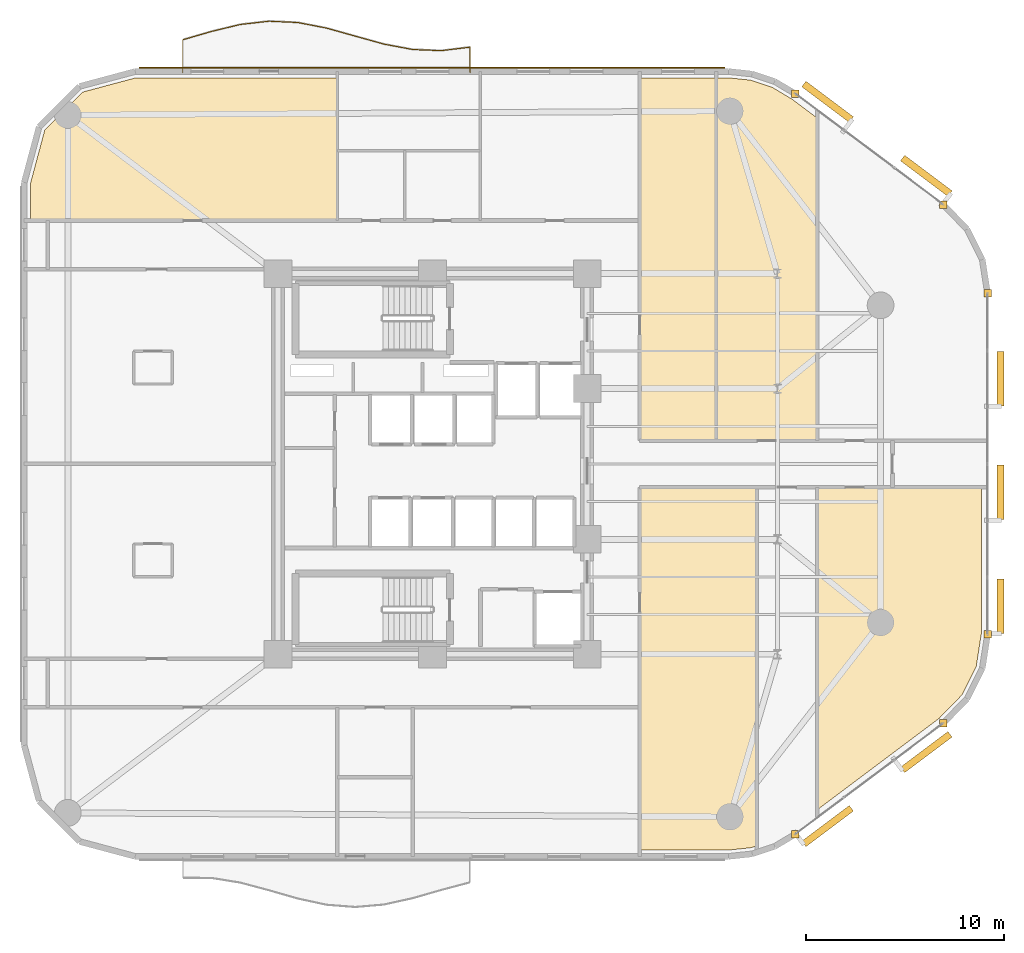
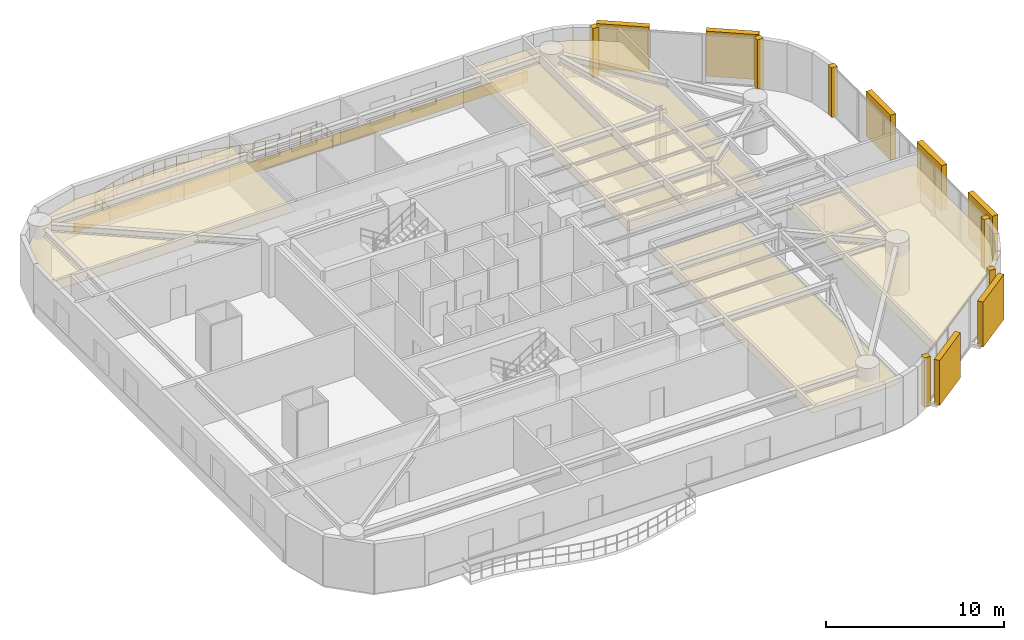
# One storey, part 16 of 16: 12 coverings, 7 shading devices, 1 railing.
"""IFC4 building model written with IfcOpenShell, lengths in metres."""

import ifcopenshell
import ifcopenshell.guid

model = None  # the IFC model being written
_history = None  # IfcOwnerHistory: only IFC2X3 demands one
_inside = {}  # id of a spatial element -> (the spatial element, [elements in it])
_under = {}  # id of a project, library or spatial element -> (it, [spatial elements below it])
_declared = {}  # id of a project -> (the project, [libraries it declares])
_typed = {}  # id of a type object -> (the type object, [elements of that type])
_made_of = {}  # id of a material, layer set ... -> (it, [elements and type objects made of it])


def new_model(schema):
    """Start an empty IFC model of exactly this schema.

    Asked for "IFC4X3", IfcOpenShell would pick the latest addendum, in which some entities
    have other attributes; the version numbers below select the first issue.
    IFC2X3 requires an IfcOwnerHistory on every rooted entity: one is made here for all.
    """
    global model, _history
    if schema == "IFC4X3":
        model = ifcopenshell.file(schema_version=(4, 3, 0, 0))
    else:
        model = ifcopenshell.file(schema=schema)
    _inside.clear()
    _under.clear()
    _declared.clear()
    _typed.clear()
    _made_of.clear()
    _history = None
    if model.schema == "IFC2X3":
        org = make("IfcOrganization", Name="unknown")
        user = make(
            "IfcPersonAndOrganization",
            ThePerson=make("IfcPerson", FamilyName="unknown"),
            TheOrganization=org,
        )
        app = make(
            "IfcApplication",
            ApplicationDeveloper=org,
            Version="unknown",
            ApplicationFullName="unknown",
            ApplicationIdentifier="unknown",
        )
        _history = make(
            "IfcOwnerHistory",
            OwningUser=user,
            OwningApplication=app,
            ChangeAction="ADDED",
            CreationDate=0,
        )
    return model


def make(cls, **values):
    """One entity of the class cls with the attributes given. An attribute that is None is left unset."""
    return model.create_entity(
        cls, **{name: value for name, value in values.items() if value is not None}
    )


def rooted(cls, **values):
    """An entity with a GlobalId (a new one), such as an element, a storey or a relation."""
    return make(cls, GlobalId=ifcopenshell.guid.new(), OwnerHistory=_history, **values)


def si_unit(unit_type, name, prefix=None):
    """IfcSIUnit, for example si_unit("LENGTHUNIT", "METRE", prefix="MILLI")."""
    return make("IfcSIUnit", UnitType=unit_type, Prefix=prefix, Name=name)


def assignment(units):
    """IfcUnitAssignment: the units of a project."""
    return None if units is None else make("IfcUnitAssignment", Units=units)


def point(xyz):
    """IfcCartesianPoint."""
    return None if xyz is None else make("IfcCartesianPoint", Coordinates=xyz)


def direction(xyz):
    """IfcDirection."""
    return None if xyz is None else make("IfcDirection", DirectionRatios=xyz)


def frame(location, z_axis=None, x_axis=None):
    """IfcAxis2Placement3D, a coordinate frame: its origin and axes. An axis left out is left unset."""
    return make(
        "IfcAxis2Placement3D",
        Location=point(location),
        Axis=direction(z_axis),
        RefDirection=direction(x_axis),
    )


def frame_2d(location, x_axis=None):
    """IfcAxis2Placement2D, a coordinate frame in the plane: its origin and x axis."""
    return make(
        "IfcAxis2Placement2D", Location=point(location), RefDirection=direction(x_axis)
    )


def origin():
    """The frame at (0, 0, 0) with its axes left unset."""
    return frame((0.0, 0.0, 0.0))


def origin_2d():
    """The frame at (0, 0) in the plane with its x axis left unset."""
    return frame_2d((0.0, 0.0))


def place(relative_to, where):
    """IfcLocalPlacement: puts the frame where relative to a parent placement (None: the world)."""
    return make(
        "IfcLocalPlacement", PlacementRelTo=relative_to, RelativePlacement=where
    )


def context(
    kind, dimensions, precision=None, world=None, true_north=None, identifier=None
):
    """IfcGeometricRepresentationContext, for example the 3D "Model" context."""
    return make(
        "IfcGeometricRepresentationContext",
        ContextIdentifier=identifier,
        ContextType=kind,
        CoordinateSpaceDimension=dimensions,
        Precision=precision,
        WorldCoordinateSystem=world,
        TrueNorth=true_north,
    )


def subcontext(parent, identifier, kind, view, scale=None):
    """IfcGeometricRepresentationSubContext, for example "Body" below "Model"."""
    return make(
        "IfcGeometricRepresentationSubContext",
        ContextIdentifier=identifier,
        ContextType=kind,
        ParentContext=parent,
        TargetScale=scale,
        TargetView=view,
    )


def project(units=None, contexts=None):
    """IfcProject with its units and contexts."""
    return rooted(
        "IfcProject",
        Name="project",
        RepresentationContexts=contexts,
        UnitsInContext=assignment(units),
    )


def spatial(cls, under=None, at=None, **own):
    """A site, building, storey or space (cls), placed at a placement, below another one or the project."""
    s = rooted(cls, ObjectPlacement=at, **own)
    if under is not None:
        _under.setdefault(under.id(), (under, []))[1].append(s)
    return s


def polyline(points):
    """IfcPolyline through the points."""
    return make("IfcPolyline", Points=[point(p) for p in points])


def profile(cls, at=None, kind="AREA", **sizes):
    """A parametric profile (cls). Its sizes go by their IFC names, for example OverallWidth=200.0."""
    return make(cls, ProfileType=kind, Position=at, **sizes)


def rectangle(**sizes):
    """IfcRectangleProfileDef."""
    return profile("IfcRectangleProfileDef", **sizes)


def circle(**sizes):
    """IfcCircleProfileDef."""
    return profile("IfcCircleProfileDef", **sizes)


def outline(outer, holes=None, kind="AREA"):
    """IfcArbitraryClosedProfileDef: a profile drawn as a closed curve; with holes, ...WithVoids."""
    if holes is None:
        return make("IfcArbitraryClosedProfileDef", ProfileType=kind, OuterCurve=outer)
    return make(
        "IfcArbitraryProfileDefWithVoids",
        ProfileType=kind,
        OuterCurve=outer,
        InnerCurves=holes,
    )


def extrude(swept, where, along, depth):
    """IfcExtrudedAreaSolid: the profile swept, set in the frame where, extruded along a direction by depth."""
    return make(
        "IfcExtrudedAreaSolid",
        SweptArea=swept,
        Position=where,
        ExtrudedDirection=direction(along),
        Depth=depth,
    )


def shape(context_of_items, identifier, shape_type, items):
    """IfcShapeRepresentation: the items that make up one representation, for example the "Body"."""
    return make(
        "IfcShapeRepresentation",
        ContextOfItems=context_of_items,
        RepresentationIdentifier=identifier,
        RepresentationType=shape_type,
        Items=items,
    )


def material(Name=None, Category=None):
    """IfcMaterial."""
    return make("IfcMaterial", Name=Name, Category=Category)


def layer(
    of_material, thickness, ventilated=None, Name=None, Category=None, Priority=None
):
    """IfcMaterialLayer: one layer of a wall or slab, of a material (None: an air gap)."""
    return make(
        "IfcMaterialLayer",
        Material=of_material,
        LayerThickness=thickness,
        IsVentilated=ventilated,
        Name=Name,
        Category=Category,
        Priority=Priority,
    )


def layer_set(layers, Name=None):
    """IfcMaterialLayerSet."""
    return make("IfcMaterialLayerSet", MaterialLayers=layers, LayerSetName=Name)


def made_of(thing, what):
    """Note that an element or type object is made of a material, layer set ...; save() writes the relation."""
    if what is not None:
        _made_of.setdefault(what.id(), (what, []))[1].append(thing)
    return thing


def type_object(cls, material=None, **own):
    """A type object (cls), such as IfcWallType, which elements share."""
    return made_of(rooted(cls, **own), material)


def element(
    cls,
    number,
    at=None,
    inside=None,
    cuts=None,
    type_object=None,
    material=None,
    context=None,
    identifier="Body",
    shape_type=None,
    held_by="IfcProductDefinitionShape",
    body=None,
    shapes=None,
    **own,
):
    """One element of the class cls, such as IfcWall. Its Tag is "e" and its number.

    at: its placement. inside: the storey or other place that contains it. cuts: it is an
    opening in that element (IfcRelVoidsElement). A single representation is given by context,
    identifier, shape_type and body (its items); several are given by shapes. held_by: the class
    of the entity that holds the representations. save() writes the other relations.
    """
    e = rooted(cls, Tag="e%d" % number, ObjectPlacement=at, **own)
    if body is not None:
        shapes = [shape(context, identifier, shape_type, body)]
    if shapes is not None:
        e.Representation = make(held_by, Representations=shapes)
    if inside is not None:
        _inside.setdefault(inside.id(), (inside, []))[1].append(e)
    if cuts is not None:
        rooted(
            "IfcRelVoidsElement", RelatingBuildingElement=cuts, RelatedOpeningElement=e
        )
    if type_object is not None:
        _typed.setdefault(type_object.id(), (type_object, []))[1].append(e)
    return made_of(e, material)


def aggregate(whole, parts):
    """IfcRelAggregates: a whole, such as a stair, and the parts it consists of."""
    return rooted("IfcRelAggregates", RelatingObject=whole, RelatedObjects=parts)


def save(model, path):
    """Write the relations noted so far, then the file.

    IfcRelAggregates (storeys below a building ...), IfcRelContainedInSpatialStructure (elements
    in a storey), IfcRelDefinesByType, IfcRelAssociatesMaterial and IfcRelDeclares: one each for
    every whole, place, type object, material and project.
    """
    for whole, parts in _under.values():
        aggregate(whole, parts)
    for where, things in _inside.values():
        rooted(
            "IfcRelContainedInSpatialStructure",
            RelatedElements=things,
            RelatingStructure=where,
        )
    for kind, things in _typed.values():
        rooted("IfcRelDefinesByType", RelatedObjects=things, RelatingType=kind)
    for what, things in _made_of.values():
        rooted("IfcRelAssociatesMaterial", RelatedObjects=things, RelatingMaterial=what)
    for by, libraries in _declared.values():
        rooted("IfcRelDeclares", RelatingContext=by, RelatedDefinitions=libraries)
    model.write(path)


model = new_model("IFC4")

# Units and contexts
model_context = context("Model", 3, precision=1e-05, world=origin(), true_north=direction((0.0, 1.0)))
body_context = subcontext(model_context, "Body", "Model", "MODEL_VIEW")
ifc_project = project(units=[si_unit("LENGTHUNIT", "METRE"), si_unit("AREAUNIT", "SQUARE_METRE"), si_unit("VOLUMEUNIT", "CUBIC_METRE"), si_unit("PLANEANGLEUNIT", "RADIAN"), si_unit("MASSUNIT", "GRAM", prefix="KILO")], contexts=[model_context])

# Site, building, storey
site_placement = place(None, origin())
site = spatial("IfcSite", under=ifc_project, at=site_placement, CompositionType="ELEMENT")
building_placement = place(site_placement, origin())
building = spatial("IfcBuilding", under=site, at=building_placement, Name="An Khanh Terracotta Commons", CompositionType="ELEMENT")
storey_placement = place(building_placement, frame((0.0, 0.0, 111.5)))
storey = spatial("IfcBuildingStorey", under=building, at=storey_placement, Name="L29", CompositionType="ELEMENT", Elevation=111.5)

# Coverings
ifc_material_1 = material(Name="Perforated Mineral-Fibre Acoustic Tile")
ifc_layer_1 = layer(ifc_material_1, 0.02001953125, Name="Perforated Mineral-Fibre Acoustic Tile")
ifc_layer_set_1 = layer_set([ifc_layer_1], Name="Perforated Mineral-Fibre Acoustic Tile")
covering_type_1 = type_object("IfcCoveringType", Name="CEIL-ACOUSTIC-18", PredefinedType="CEILING", material=ifc_layer_set_1)
covering_1_placement = place(storey_placement, frame((0.0, 0.0, 2.64990234375)))
element("IfcCovering", 1, at=covering_1_placement, inside=storey, type_object=covering_type_1, Name="L29 Collaborative Study Lounge Ceiling", PredefinedType="CEILING", context=body_context, shape_type="SweptSolid", body=[
    extrude(outline(polyline([(43.7080078125, 43.47998046875), (43.7080078125, 25.179931640625), (39.85009765625, 25.179931640625), (39.85009765625, 33.820068359375), (39.85009765625, 36.280029296875), (39.85009765625, 43.47998046875), (43.7080078125, 43.47998046875)])), origin(), (0.0, 0.0, 1.0), 0.02001953125),
])
covering_2_placement = place(storey_placement, frame((0.0, 0.0, 2.64990234375)))
element("IfcCovering", 2, at=covering_2_placement, inside=storey, type_object=covering_type_1, Name="L29 Collaborative Study Lounge Ceiling", PredefinedType="CEILING", context=body_context, shape_type="SweptSolid", body=[
    extrude(outline(polyline([(44.31591796875, 43.47998046875), (45.45703125, 43.35791015625), (46.529052734375, 43.0), (47.514892578125, 42.4140625), (48.800048828125, 41.449951171875), (48.800048828125, 25.179931640625), (43.7080078125, 25.179931640625), (43.7080078125, 43.47998046875), (44.31591796875, 43.47998046875)])), origin(), (0.0, 0.0, 1.0), 0.02001953125),
])
covering_3_placement = place(storey_placement, frame((0.0, 0.0, 2.64990234375)))
element("IfcCovering", 3, at=covering_3_placement, inside=storey, type_object=covering_type_1, Name="L29 Collaborative Study Lounge Ceiling", PredefinedType="CEILING", context=body_context, shape_type="SweptSolid", body=[
    extrude(outline(polyline([(45.45703125, 4.64208984375), (44.31591796875, 4.52001953125), (39.85009765625, 4.52001953125), (39.85009765625, 11.719970703125), (39.85009765625, 14.179931640625), (39.85009765625, 22.820068359375), (45.757080078125, 22.820068359375), (45.757080078125, 4.742919921875), (45.45703125, 4.64208984375)])), origin(), (0.0, 0.0, 1.0), 0.02001953125),
])
covering_4_placement = place(storey_placement, frame((0.0, 0.0, 2.64990234375)))
element("IfcCovering", 4, at=covering_4_placement, inside=storey, type_object=covering_type_1, Name="L29 Riverfront Reading Hall Ceiling", PredefinedType="CEILING", context=body_context, shape_type="SweptSolid", body=[
    extrude(outline(polyline([(57.080078125, 15.425048828125), (56.825927734375, 13.7939453125), (56.10009765625, 12.342041015625), (54.947998046875, 11.160888671875), (48.800048828125, 6.550048828125), (48.800048828125, 22.820068359375), (52.60009765625, 22.820068359375), (57.080078125, 22.820068359375), (57.080078125, 15.425048828125)])), origin(), (0.0, 0.0, 1.0), 0.02001953125),
])
covering_5_placement = place(storey_placement, frame((0.0, 0.0, 2.64990234375)))
element("IfcCovering", 5, at=covering_5_placement, inside=storey, type_object=covering_type_1, Name="L29 Academic Seminar Room Ceiling", PredefinedType="CEILING", context=body_context, shape_type="SweptSolid", body=[
    extrude(outline(polyline([(14.44189453125, 43.47998046875), (24.60009765625, 43.47998046875), (24.60009765625, 39.800048828125), (24.60009765625, 36.280029296875), (10.0, 36.280029296875), (9.1201171875, 36.280029296875), (9.1201171875, 38.157958984375), (9.8369140625, 40.833984375), (11.76611328125, 42.762939453125), (14.44189453125, 43.47998046875)])), origin(), (0.0, 0.0, 1.0), 0.02001953125),
])
ifc_material_2 = material(Name="Fired Terracotta Rainscreen Cladding", Category="masonry")
ifc_layer_2 = layer(ifc_material_2, 0.080078125, Name="Fired Terracotta Rainscreen Cladding")
ifc_layer_set_2 = layer_set([ifc_layer_2], Name="Fired Terracotta Rainscreen Cladding")
covering_type_2 = type_object("IfcCoveringType", Name="COV-JAMB-TERRA", PredefinedType="CLADDING", material=ifc_layer_set_2)
for number, where, z_axis, x_axis, name in (
    (6, (47.693115234375, 5.320068359375, 0.0), (0.0, 0.0, 1.0), (1.0, 0.0, 0.0), "L29 CW-02 Curtain-Wall Jamb Closure JA"),
    (7, (55.159912109375, 10.919921875, 0.0), (0.0, 0.0, 1.0), (1.0, 0.0, 0.0), "L29 CW-02 Curtain-Wall Jamb Closure JB"),
    (8, (57.39990234375, 15.39990234375, 0.0), (0.0, 0.0, 1.0), (1.0, 0.0, 0.0), "L29 CW-02 Curtain-Wall Jamb Closure JA"),
    (9, (57.39990234375, 32.60009765625, 0.0), (0.0, 0.0, 1.0), (1.0, 0.0, 0.0), "L29 CW-02 Curtain-Wall Jamb Closure JB"),
    (10, (55.159912109375, 37.080078125, 0.0), (0.0, 0.0, 1.0), (1.0, 0.0, 0.0), "L29 CW-02 Curtain-Wall Jamb Closure JA"),
    (11, (47.693115234375, 42.679931640625, 0.0), (0.0, 0.0, 1.0), (1.0, 0.0, 0.0), "L29 CW-02 Curtain-Wall Jamb Closure JB"),
):
    element("IfcCovering", number, at=place(storey_placement, frame(where, z_axis=z_axis, x_axis=x_axis)), inside=storey, type_object=covering_type_2, Name=name, PredefinedType="CLADDING", context=body_context, shape_type="SweptSolid", body=[
        extrude(rectangle(XDim=0.3798828125, YDim=0.3798828125, at=origin_2d()), origin(), (0.0, 0.0, 1.0), 3.39990234375),
    ])
ifc_layer_3 = layer(ifc_material_2, 0.06005859375, Name="Fired Terracotta Rainscreen Cladding")
ifc_layer_set_3 = layer_set([ifc_layer_3], Name="Fired Terracotta Rainscreen Cladding")
covering_type_3 = type_object("IfcCoveringType", Name="COV-SPANDREL-TERRA", PredefinedType="CLADDING", material=ifc_layer_set_3)
covering_6_placement = place(storey_placement, frame((29.365966796875, 43.97998046875, 0.02001953125), z_axis=(0.0, 0.0, 1.0), x_axis=(-1.0, 0.0, 0.0)))
element("IfcCovering", 12, at=covering_6_placement, inside=storey, type_object=covering_type_3, Name="L29 Terracotta Spandrel Cladding 20", PredefinedType="CLADDING", context=body_context, shape_type="SweptSolid", body=[
    extrude(rectangle(XDim=29.532958984375, YDim=0.06005859375, at=origin_2d()), origin(), (0.0, 0.0, 1.0), 0.800048828125),
])

# Railing
ifc_material_3 = material(Name="Brushed Stainless Steel 316", Category="steel")
railing_type = type_object("IfcRailingType", Name="RAIL-BALUSTRADE-1100", PredefinedType="BALUSTRADE", material=ifc_material_3)
railing_placement = place(storey_placement, frame((31.300048828125, 43.739990234375, 0.0)))
element("IfcRailing", 13, at=railing_placement, inside=storey, type_object=railing_type, Name="L29 N Wave Balcony Guard Balustrade", PredefinedType="BALUSTRADE", context=body_context, shape_type="SweptSolid", body=[
    extrude(circle(Radius=0.02392578125, at=origin_2d()), frame((0.0, 0.0, 1.076171875), z_axis=(0.0, 1.0, 0.0), x_axis=(-1.0, 0.0, 0.0)), (0.0, 0.0, 1.0), 1.285888671875),
    extrude(circle(Radius=0.02392578125, at=origin_2d()), frame((0.0, 0.0, 0.52587890625), z_axis=(0.0, 1.0, 0.0), x_axis=(-1.0, 0.0, 0.0)), (0.0, 0.0, 1.0), 1.285888671875),
    extrude(circle(Radius=0.02392578125, at=origin_2d()), frame((0.0, 1.285888671875, 1.076171875), z_axis=(-0.992550548012, -0.121833532497, 0.0), x_axis=(0.121833532497, -0.992550548012, 0.0)), (0.0, 0.0, 1.0), 1.4609375),
    extrude(circle(Radius=0.02392578125, at=origin_2d()), frame((0.0, 1.285888671875, 0.52587890625), z_axis=(-0.992550548012, -0.121833532497, 0.0), x_axis=(0.121833532497, -0.992550548012, 0.0)), (0.0, 0.0, 1.0), 1.4609375),
    extrude(circle(Radius=0.02392578125, at=origin_2d()), frame((-1.449951171875, 1.10791015625, 1.076171875), z_axis=(-0.99922496073, 0.039363407544, 0.0), x_axis=(-0.039363407544, -0.99922496073, 0.0)), (0.0, 0.0, 1.0), 1.451416015625),
    extrude(circle(Radius=0.02392578125, at=origin_2d()), frame((-1.449951171875, 1.10791015625, 0.52587890625), z_axis=(-0.99922496073, 0.039363407544, 0.0), x_axis=(-0.039363407544, -0.99922496073, 0.0)), (0.0, 0.0, 1.0), 1.451416015625),
    extrude(circle(Radius=0.02392578125, at=origin_2d()), frame((-2.900146484375, 1.1650390625, 1.076171875), z_axis=(-0.982859069957, 0.18435847852, 0.0), x_axis=(-0.18435847852, -0.982859069957, 0.0)), (0.0, 0.0, 1.0), 1.475341796875),
    extrude(circle(Radius=0.02392578125, at=origin_2d()), frame((-2.900146484375, 1.1650390625, 0.52587890625), z_axis=(-0.982859069957, 0.18435847852, 0.0), x_axis=(-0.18435847852, -0.982859069957, 0.0)), (0.0, 0.0, 1.0), 1.475341796875),
    extrude(circle(Radius=0.02392578125, at=origin_2d()), frame((-4.35009765625, 1.43701171875, 1.076171875), z_axis=(-0.963464434619, 0.267836299302, 0.0), x_axis=(-0.267836299302, -0.963464434619, 0.0)), (0.0, 0.0, 1.0), 1.5048828125),
    extrude(circle(Radius=0.02392578125, at=origin_2d()), frame((-4.35009765625, 1.43701171875, 0.52587890625), z_axis=(-0.963464434619, 0.267836299302, 0.0), x_axis=(-0.267836299302, -0.963464434619, 0.0)), (0.0, 0.0, 1.0), 1.5048828125),
    extrude(circle(Radius=0.02392578125, at=origin_2d()), frame((-5.800048828125, 1.840087890625, 1.076171875), z_axis=(-0.962960651707, 0.269641953829, 0.0), x_axis=(-0.269641953829, -0.962960651707, 0.0)), (0.0, 0.0, 1.0), 1.505615234375),
    extrude(circle(Radius=0.02392578125, at=origin_2d()), frame((-5.800048828125, 1.840087890625, 0.52587890625), z_axis=(-0.962960651707, 0.269641953829, 0.0), x_axis=(-0.269641953829, -0.962960651707, 0.0)), (0.0, 0.0, 1.0), 1.505615234375),
    extrude(circle(Radius=0.02392578125, at=origin_2d()), frame((-7.25, 2.24609375, 1.076171875), z_axis=(-0.981733065227, 0.190263471641, 0.0), x_axis=(-0.190263471641, -0.981733065227, 0.0)), (0.0, 0.0, 1.0), 1.47705078125),
    extrude(circle(Radius=0.02392578125, at=origin_2d()), frame((-7.25, 2.24609375, 0.52587890625), z_axis=(-0.981733065227, 0.190263471641, 0.0), x_axis=(-0.190263471641, -0.981733065227, 0.0)), (0.0, 0.0, 1.0), 1.47705078125),
    extrude(circle(Radius=0.02392578125, at=origin_2d()), frame((-8.699951171875, 2.527099609375, 1.076171875), z_axis=(-0.998937801093, 0.046078949074, 0.0), x_axis=(-0.046078949074, -0.998937801093, 0.0)), (0.0, 0.0, 1.0), 1.45166015625),
    extrude(circle(Radius=0.02392578125, at=origin_2d()), frame((-8.699951171875, 2.527099609375, 0.52587890625), z_axis=(-0.998937801093, 0.046078949074, 0.0), x_axis=(-0.046078949074, -0.998937801093, 0.0)), (0.0, 0.0, 1.0), 1.45166015625),
    extrude(circle(Radius=0.02392578125, at=origin_2d()), frame((-10.150146484375, 2.593994140625, 1.076171875), z_axis=(-0.993433088968, -0.114414587111, 0.0), x_axis=(0.114414587111, -0.993433088968, 0.0)), (0.0, 0.0, 1.0), 1.45947265625),
    extrude(circle(Radius=0.02392578125, at=origin_2d()), frame((-10.150146484375, 2.593994140625, 0.52587890625), z_axis=(-0.993433088968, -0.114414587111, 0.0), x_axis=(0.114414587111, -0.993433088968, 0.0)), (0.0, 0.0, 1.0), 1.45947265625),
    extrude(circle(Radius=0.02392578125, at=origin_2d()), frame((-11.60009765625, 2.427001953125, 1.076171875), z_axis=(-0.972065470798, -0.234709864476, 0.0), x_axis=(0.234709864476, -0.972065470798, 0.0)), (0.0, 0.0, 1.0), 1.49169921875),
    extrude(circle(Radius=0.02392578125, at=origin_2d()), frame((-11.60009765625, 2.427001953125, 0.52587890625), z_axis=(-0.972065470798, -0.234709864476, 0.0), x_axis=(0.234709864476, -0.972065470798, 0.0)), (0.0, 0.0, 1.0), 1.49169921875),
    extrude(circle(Radius=0.02392578125, at=origin_2d()), frame((-13.050048828125, 2.076904296875, 1.076171875), z_axis=(-0.960356002851, -0.278776519434, 0.0), x_axis=(0.278776519434, -0.960356002851, 0.0)), (0.0, 0.0, 1.0), 1.509765625),
    extrude(circle(Radius=0.02392578125, at=origin_2d()), frame((-13.050048828125, 2.076904296875, 0.52587890625), z_axis=(-0.960356002851, -0.278776519434, 0.0), x_axis=(0.278776519434, -0.960356002851, 0.0)), (0.0, 0.0, 1.0), 1.509765625),
    extrude(circle(Radius=0.02392578125, at=origin_2d()), frame((-14.5, 1.656005859375, 1.076171875), z_axis=(0.0, -1.0, 0.0), x_axis=(1.0, 0.0, 0.0)), (0.0, 0.0, 1.0), 1.656005859375),
    extrude(circle(Radius=0.02392578125, at=origin_2d()), frame((-14.5, 1.656005859375, 0.52587890625), z_axis=(0.0, -1.0, 0.0), x_axis=(1.0, 0.0, 0.0)), (0.0, 0.0, 1.0), 1.656005859375),
    extrude(circle(Radius=0.02099609375, at=origin_2d()), origin(), (0.0, 0.0, 1.0), 1.052001953125),
    extrude(circle(Radius=0.02099609375, at=origin_2d()), frame((0.0, 0.64306640625, 0.0)), (0.0, 0.0, 1.0), 1.052001953125),
    extrude(circle(Radius=0.02099609375, at=origin_2d()), frame((0.0, 1.285888671875, 0.0)), (0.0, 0.0, 1.0), 1.052001953125),
    extrude(circle(Radius=0.02099609375, at=origin_2d()), frame((-0.72509765625, 1.19677734375, 0.0)), (0.0, 0.0, 1.0), 1.052001953125),
    extrude(circle(Radius=0.02099609375, at=origin_2d()), frame((-1.449951171875, 1.10791015625, 0.0)), (0.0, 0.0, 1.0), 1.052001953125),
    extrude(circle(Radius=0.02099609375, at=origin_2d()), frame((-2.175048828125, 1.136474609375, 0.0)), (0.0, 0.0, 1.0), 1.052001953125),
    extrude(circle(Radius=0.02099609375, at=origin_2d()), frame((-2.900146484375, 1.1650390625, 0.0)), (0.0, 0.0, 1.0), 1.052001953125),
    extrude(circle(Radius=0.02099609375, at=origin_2d()), frame((-3.625, 1.301025390625, 0.0)), (0.0, 0.0, 1.0), 1.052001953125),
    extrude(circle(Radius=0.02099609375, at=origin_2d()), frame((-4.35009765625, 1.43701171875, 0.0)), (0.0, 0.0, 1.0), 1.052001953125),
    extrude(circle(Radius=0.02099609375, at=origin_2d()), frame((-5.0751953125, 1.638671875, 0.0)), (0.0, 0.0, 1.0), 1.052001953125),
    extrude(circle(Radius=0.02099609375, at=origin_2d()), frame((-5.800048828125, 1.840087890625, 0.0)), (0.0, 0.0, 1.0), 1.052001953125),
    extrude(circle(Radius=0.02099609375, at=origin_2d()), frame((-6.52490234375, 2.04296875, 0.0)), (0.0, 0.0, 1.0), 1.052001953125),
    extrude(circle(Radius=0.02099609375, at=origin_2d()), frame((-7.25, 2.24609375, 0.0)), (0.0, 0.0, 1.0), 1.052001953125),
    extrude(circle(Radius=0.02099609375, at=origin_2d()), frame((-7.97509765625, 2.38671875, 0.0)), (0.0, 0.0, 1.0), 1.052001953125),
    extrude(circle(Radius=0.02099609375, at=origin_2d()), frame((-8.699951171875, 2.527099609375, 0.0)), (0.0, 0.0, 1.0), 1.052001953125),
    extrude(circle(Radius=0.02099609375, at=origin_2d()), frame((-9.425048828125, 2.560546875, 0.0)), (0.0, 0.0, 1.0), 1.052001953125),
    extrude(circle(Radius=0.02099609375, at=origin_2d()), frame((-10.150146484375, 2.593994140625, 0.0)), (0.0, 0.0, 1.0), 1.052001953125),
    extrude(circle(Radius=0.02099609375, at=origin_2d()), frame((-10.875, 2.510498046875, 0.0)), (0.0, 0.0, 1.0), 1.052001953125),
    extrude(circle(Radius=0.02099609375, at=origin_2d()), frame((-11.60009765625, 2.427001953125, 0.0)), (0.0, 0.0, 1.0), 1.052001953125),
    extrude(circle(Radius=0.02099609375, at=origin_2d()), frame((-12.3251953125, 2.251953125, 0.0)), (0.0, 0.0, 1.0), 1.052001953125),
    extrude(circle(Radius=0.02099609375, at=origin_2d()), frame((-13.050048828125, 2.076904296875, 0.0)), (0.0, 0.0, 1.0), 1.052001953125),
    extrude(circle(Radius=0.02099609375, at=origin_2d()), frame((-13.77490234375, 1.866455078125, 0.0)), (0.0, 0.0, 1.0), 1.052001953125),
    extrude(circle(Radius=0.02099609375, at=origin_2d()), frame((-14.5, 1.656005859375, 0.0)), (0.0, 0.0, 1.0), 1.052001953125),
    extrude(circle(Radius=0.02099609375, at=origin_2d()), frame((-14.5, 0.828125, 0.0)), (0.0, 0.0, 1.0), 1.052001953125),
    extrude(circle(Radius=0.02099609375, at=origin_2d()), frame((-14.5, 0.0, 0.0)), (0.0, 0.0, 1.0), 1.052001953125),
])

# Shading devices
ifc_material_4 = material(Name="Extruded Fired Terracotta", Category="masonry")
shading_device_type = type_object("IfcShadingDeviceType", Name="Terracotta Baguette Screen Assembly", PredefinedType="USERDEFINED", material=ifc_material_4)
for number, where, z_axis, x_axis, name in (
    (14, (49.326904296875, 5.73291015625, 0.14990234375), (0.0, 0.0, 1.0), (0.800012856594, 0.599982857492, 0.0), "L29 Terracotta Baguette Screen 1"),
    (15, (54.304931640625, 9.467041015625, 0.14990234375), (0.0, 0.0, 1.0), (0.800012856594, 0.599982857492, 0.0), "L29 Terracotta Baguette Screen 3"),
):
    element("IfcShadingDevice", number, at=place(storey_placement, frame(where, z_axis=z_axis, x_axis=x_axis)), inside=storey, type_object=shading_device_type, Name=name, ObjectType="BAGUETTE", PredefinedType="USERDEFINED", context=body_context, shape_type="SweptSolid", body=[
        extrude(rectangle(XDim=2.990966796875, YDim=0.35009765625, at=origin_2d()), origin(), (0.0, 0.0, 1.0), 3.10009765625),
    ])
for number, where, z_axis, x_axis, name in (
    (16, (58.050048828125, 16.8330078125, 0.14990234375), (0.0, 0.0, 1.0), (0.0, 1.0, 0.0), "L29 Terracotta Baguette Screen 1"),
    (17, (58.050048828125, 22.56689453125, 0.14990234375), (0.0, 0.0, 1.0), (0.0, 1.0, 0.0), "L29 Terracotta Baguette Screen 3"),
    (18, (58.050048828125, 28.300048828125, 0.14990234375), (0.0, 0.0, 1.0), (0.0, 1.0, 0.0), "L29 Terracotta Baguette Screen 5"),
):
    element("IfcShadingDevice", number, at=place(storey_placement, frame(where, z_axis=z_axis, x_axis=x_axis)), inside=storey, type_object=shading_device_type, Name=name, ObjectType="BAGUETTE", PredefinedType="USERDEFINED", context=body_context, shape_type="SweptSolid", body=[
        extrude(rectangle(XDim=2.7470703125, YDim=0.35009765625, at=origin_2d()), origin(), (0.0, 0.0, 1.0), 3.10009765625),
    ])
for number, where, z_axis, x_axis, name in (
    (19, (54.304931640625, 38.532958984375, 0.14990234375), (0.0, 0.0, 1.0), (-0.800012856594, 0.599982857492, 0.0), "L29 Terracotta Baguette Screen 1"),
    (20, (49.326904296875, 42.26708984375, 0.14990234375), (0.0, 0.0, 1.0), (-0.800012856594, 0.599982857492, 0.0), "L29 Terracotta Baguette Screen 3"),
):
    element("IfcShadingDevice", number, at=place(storey_placement, frame(where, z_axis=z_axis, x_axis=x_axis)), inside=storey, type_object=shading_device_type, Name=name, ObjectType="BAGUETTE", PredefinedType="USERDEFINED", context=body_context, shape_type="SweptSolid", body=[
        extrude(rectangle(XDim=2.990966796875, YDim=0.35009765625, at=origin_2d()), origin(), (0.0, 0.0, 1.0), 3.10009765625),
    ])

save(model, "model.ifc")
